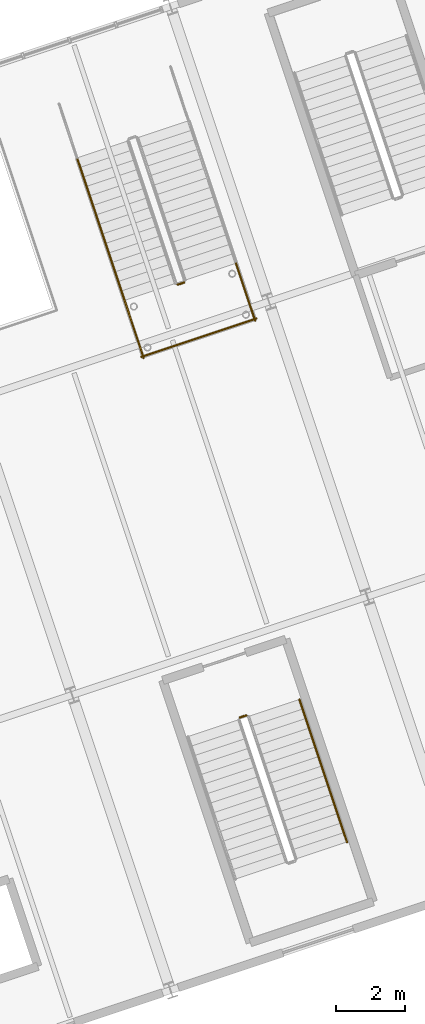
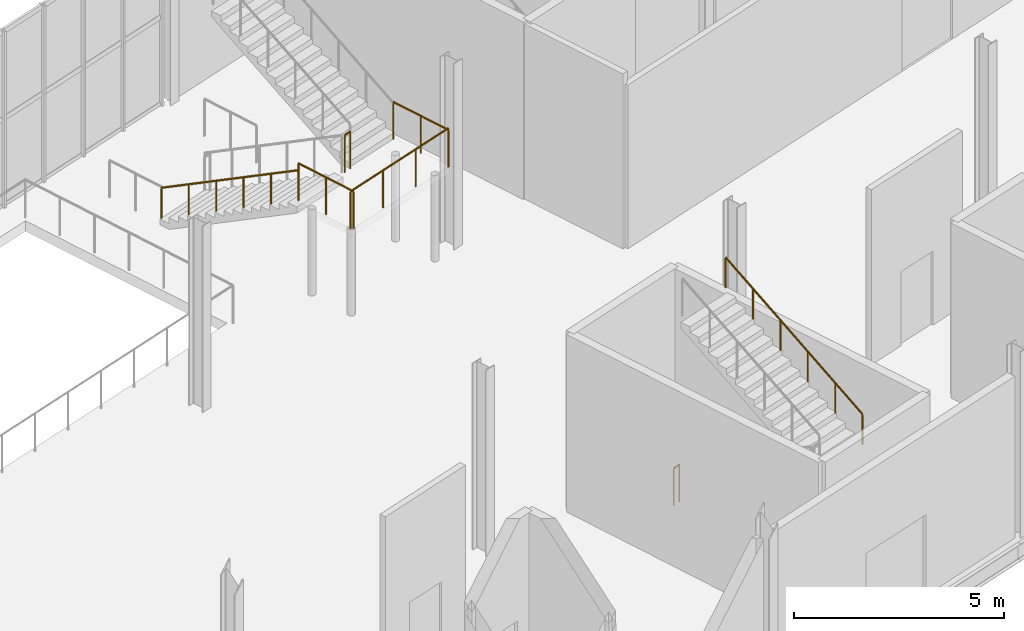
# One storey, part 145 of 158: 7 railings.
"""IFC4 building model written with IfcOpenShell, lengths in metres."""

from ifc_helpers import new_model, si_unit, derived_unit, direction, frame, origin, origin_2d, place, context, subcontext, project, spatial, circle, extrude, material, type_object, element, save


model = new_model("IFC4")

# Units and contexts
model_context = context("Model", 3, precision=1e-05, world=origin(), true_north=direction((0.0, 1.0)))
body_context = subcontext(model_context, "Body", "Model", "MODEL_VIEW")
ifc_project = project(units=[si_unit("LENGTHUNIT", "METRE"), si_unit("AREAUNIT", "SQUARE_METRE"), si_unit("VOLUMEUNIT", "CUBIC_METRE"), si_unit("PLANEANGLEUNIT", "RADIAN"), si_unit("MASSUNIT", "GRAM", prefix="KILO"), si_unit("THERMODYNAMICTEMPERATUREUNIT", "KELVIN"), si_unit("TIMEUNIT", "SECOND"), derived_unit("THERMALTRANSMITTANCEUNIT", [(si_unit("MASSUNIT", "GRAM", prefix="KILO"), 1), (si_unit("THERMODYNAMICTEMPERATUREUNIT", "KELVIN"), -1), (si_unit("TIMEUNIT", "SECOND"), -3)])], contexts=[model_context])

# Site, building, storey
site_placement = place(None, origin())
site = spatial("IfcSite", under=ifc_project, at=site_placement, CompositionType="ELEMENT")
building_placement = place(site_placement, origin())
building = spatial("IfcBuilding", under=site, at=building_placement, Name="Cambertide Market Hall", CompositionType="ELEMENT")
storey_placement = place(building_placement, origin())
storey = spatial("IfcBuildingStorey", under=building, at=storey_placement, Name="L01", CompositionType="ELEMENT", Elevation=0.0)

# Railings
ifc_material_1 = material(Name="Stainless Steel Grade 316", Category="metal")
railing_type_1 = type_object("IfcRailingType", Name="Stair Wall Handrail 900", PredefinedType="HANDRAIL", material=ifc_material_1)
railing_1_placement = place(storey_placement, frame((136.721435546875, 24.822998046875, 2.86865234375)))
element("IfcRailing", 1, at=railing_1_placement, inside=storey, type_object=railing_type_1, Name="Level 1 ST-06A stair handrail 2", PredefinedType="HANDRAIL", context=body_context, shape_type="SweptSolid", body=[
    extrude(circle(Radius=0.02392578125, at=origin_2d()), frame((0.0, 0.0, 0.8759765625), z_axis=(-0.273305608968, 0.819965336951, 0.502952174969), x_axis=(-0.948688910449, -0.316210928324, 0.0)), (0.0, 0.0, 1.0), 5.03271484375),
    extrude(circle(Radius=0.02099609375, at=origin_2d()), origin(), (0.0, 0.0, 1.0), 0.851806640625),
    extrude(circle(Radius=0.02099609375, at=origin_2d()), frame((-0.275146484375, 0.825439453125, 0.50634765625)), (0.0, 0.0, 1.0), 0.851806640625),
    extrude(circle(Radius=0.02099609375, at=origin_2d()), frame((-0.55029296875, 1.650634765625, 1.012451171875)), (0.0, 0.0, 1.0), 0.851806640625),
    extrude(circle(Radius=0.02099609375, at=origin_2d()), frame((-0.8251953125, 2.47607421875, 1.518798828125)), (0.0, 0.0, 1.0), 0.851806640625),
    extrude(circle(Radius=0.02099609375, at=origin_2d()), frame((-1.100341796875, 3.30126953125, 2.02490234375)), (0.0, 0.0, 1.0), 0.851806640625),
    extrude(circle(Radius=0.02099609375, at=origin_2d()), frame((-1.37548828125, 4.126708984375, 2.53125)), (0.0, 0.0, 1.0), 0.851806640625),
])
railing_2_placement = place(storey_placement, frame((128.91064453125, 44.618896484375, 0.168701171875)))
element("IfcRailing", 2, at=railing_2_placement, inside=storey, type_object=railing_type_1, Name="Level 1 ST-12 stair handrail 1", PredefinedType="HANDRAIL", context=body_context, shape_type="SweptSolid", body=[
    extrude(circle(Radius=0.02392578125, at=origin_2d()), frame((0.0, 0.0, 0.8759765625), z_axis=(0.273350494618, -0.819954465046, 0.502945506336), x_axis=(0.948672072557, 0.316261440505, 0.0)), (0.0, 0.0, 1.0), 5.032958984375),
    extrude(circle(Radius=0.02099609375, at=origin_2d()), origin(), (0.0, 0.0, 1.0), 0.851806640625),
    extrude(circle(Radius=0.02099609375, at=origin_2d()), frame((0.275146484375, -0.825439453125, 0.50634765625)), (0.0, 0.0, 1.0), 0.851806640625),
    extrude(circle(Radius=0.02099609375, at=origin_2d()), frame((0.55029296875, -1.650634765625, 1.012451171875)), (0.0, 0.0, 1.0), 0.851806640625),
    extrude(circle(Radius=0.02099609375, at=origin_2d()), frame((0.825439453125, -2.47607421875, 1.518798828125)), (0.0, 0.0, 1.0), 0.851806640625),
    extrude(circle(Radius=0.02099609375, at=origin_2d()), frame((1.1005859375, -3.30126953125, 2.02490234375)), (0.0, 0.0, 1.0), 0.851806640625),
    extrude(circle(Radius=0.02099609375, at=origin_2d()), frame((1.375732421875, -4.126708984375, 2.53125)), (0.0, 0.0, 1.0), 0.851806640625),
])
ifc_material_2 = material(Name="Stainless Steel Grade 316", Category="metal")
railing_type_2 = type_object("IfcRailingType", Name="Stairwell Inner Guardrail 1100", PredefinedType="GUARDRAIL", material=ifc_material_2)
for number, where, name in (
    (3, (133.62255859375, 28.427978515625, 0.0), "Level 1 ST-06A stair guard 4"),
    (4, (131.820068359375, 40.95068359375, 2.699951171875), "Level 1 ST-12 stair guard 2"),
):
    element("IfcRailing", number, at=place(storey_placement, frame(where)), inside=storey, type_object=railing_type_2, Name=name, PredefinedType="GUARDRAIL", context=body_context, shape_type="SweptSolid", body=[
        extrude(circle(Radius=0.02392578125, at=origin_2d()), frame((0.0, 0.0, 1.076171875), z_axis=(0.948683298051, 0.316227766017, 0.0), x_axis=(-0.316227766017, 0.948683298051, 0.0)), (0.0, 0.0, 1.0), 0.199951171875),
        extrude(circle(Radius=0.02099609375, at=origin_2d()), origin(), (0.0, 0.0, 1.0), 1.052001953125),
        extrude(circle(Radius=0.02099609375, at=origin_2d()), frame((0.189697265625, 0.063232421875, 0.0)), (0.0, 0.0, 1.0), 1.052001953125),
    ])
railing_3_placement = place(storey_placement, frame((130.286376953125, 40.4921875, 2.699951171875)))
element("IfcRailing", 5, at=railing_3_placement, inside=storey, type_object=railing_type_2, Name="Level 1 ST-12 stair guard 3", PredefinedType="GUARDRAIL", context=body_context, shape_type="SweptSolid", body=[
    extrude(circle(Radius=0.02392578125, at=origin_2d()), frame((0.0, 0.0, 1.076171875), z_axis=(0.316144054974, -0.948711197628, 0.0), x_axis=(0.948711197628, 0.316144054974, 0.0)), (0.0, 0.0, 1.0), 1.75),
    extrude(circle(Radius=0.02099609375, at=origin_2d()), origin(), (0.0, 0.0, 1.0), 1.052001953125),
    extrude(circle(Radius=0.02099609375, at=origin_2d()), frame((0.276611328125, -0.830078125, 0.0)), (0.0, 0.0, 1.0), 1.052001953125),
    extrude(circle(Radius=0.02099609375, at=origin_2d()), frame((0.55322265625, -1.66015625, 0.0)), (0.0, 0.0, 1.0), 1.052001953125),
])
railing_4_placement = place(storey_placement, frame((133.51171875, 41.5673828125, 2.699951171875)))
element("IfcRailing", 6, at=railing_4_placement, inside=storey, type_object=railing_type_2, Name="Level 1 ST-12 stair guard 4", PredefinedType="GUARDRAIL", context=body_context, shape_type="SweptSolid", body=[
    extrude(circle(Radius=0.02392578125, at=origin_2d()), frame((0.0, 0.0, 1.076171875), z_axis=(0.316227766017, -0.948683298051, 0.0), x_axis=(0.948683298051, 0.316227766017, 0.0)), (0.0, 0.0, 1.0), 1.750244140625),
    extrude(circle(Radius=0.02099609375, at=origin_2d()), origin(), (0.0, 0.0, 1.0), 1.052001953125),
    extrude(circle(Radius=0.02099609375, at=origin_2d()), frame((0.27685546875, -0.830078125, 0.0)), (0.0, 0.0, 1.0), 1.052001953125),
    extrude(circle(Radius=0.02099609375, at=origin_2d()), frame((0.553466796875, -1.660400390625, 0.0)), (0.0, 0.0, 1.0), 1.052001953125),
])
railing_5_placement = place(storey_placement, frame((130.7763671875, 38.863525390625, 2.699951171875)))
element("IfcRailing", 7, at=railing_5_placement, inside=storey, type_object=railing_type_2, Name="Level 1 ST-12 stair guard 5", PredefinedType="GUARDRAIL", context=body_context, shape_type="SweptSolid", body=[
    extrude(circle(Radius=0.02392578125, at=origin_2d()), frame((0.0, 0.0, 1.076171875), z_axis=(0.948676322771, 0.316248691085, 0.0), x_axis=(-0.316248691085, 0.948676322771, 0.0)), (0.0, 0.0, 1.0), 3.500244140625),
    extrude(circle(Radius=0.02099609375, at=origin_2d()), origin(), (0.0, 0.0, 1.0), 1.052001953125),
    extrude(circle(Radius=0.02099609375, at=origin_2d()), frame((1.10693359375, 0.368896484375, 0.0)), (0.0, 0.0, 1.0), 1.052001953125),
    extrude(circle(Radius=0.02099609375, at=origin_2d()), frame((2.213623046875, 0.738037109375, 0.0)), (0.0, 0.0, 1.0), 1.052001953125),
    extrude(circle(Radius=0.02099609375, at=origin_2d()), frame((3.320556640625, 1.10693359375, 0.0)), (0.0, 0.0, 1.0), 1.052001953125),
])

save(model, "model.ifc")
